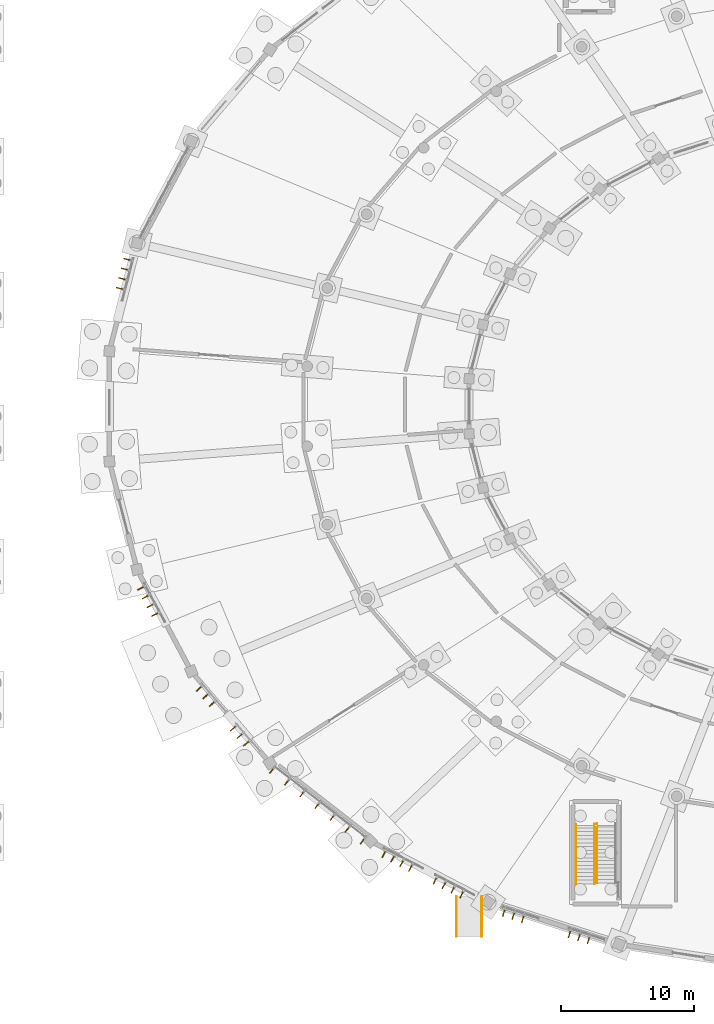
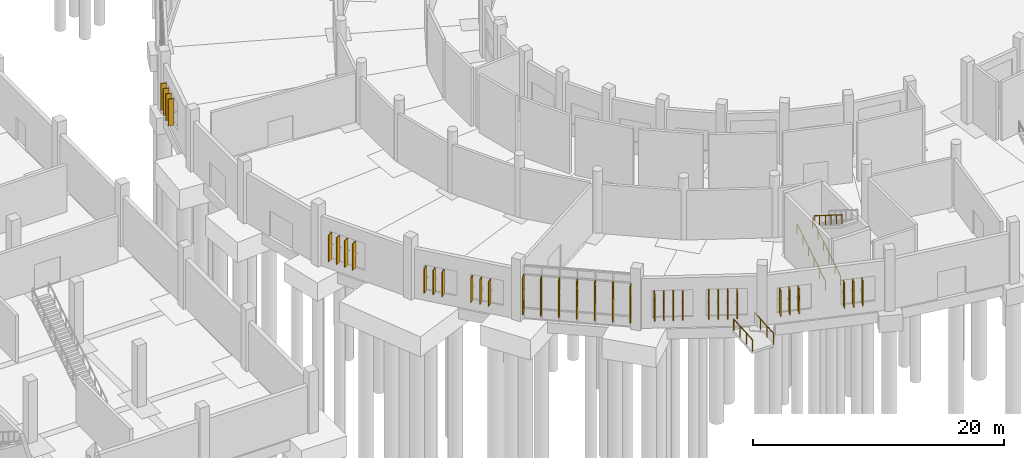
# One storey, part 112 of 140: 35 shading devices, 5 railings.
"""IFC4 building model written with IfcOpenShell, lengths in metres."""

from ifc_helpers import new_model, si_unit, direction, frame, origin, origin_2d, place, context, subcontext, project, spatial, rectangle, circle, extrude, material, layer, layer_set, type_object, element, save


model = new_model("IFC4")

# Units and contexts
model_context = context("Model", 3, precision=1e-05, world=origin(), true_north=direction((0.0, 1.0)))
body_context = subcontext(model_context, "Body", "Model", "MODEL_VIEW")
ifc_project = project(units=[si_unit("LENGTHUNIT", "METRE"), si_unit("AREAUNIT", "SQUARE_METRE"), si_unit("VOLUMEUNIT", "CUBIC_METRE"), si_unit("PLANEANGLEUNIT", "RADIAN"), si_unit("MASSUNIT", "GRAM", prefix="KILO")], contexts=[model_context])

# Site, building, storey
site_placement = place(None, origin())
site = spatial("IfcSite", under=ifc_project, at=site_placement, CompositionType="ELEMENT")
building_placement = place(site_placement, origin())
building = spatial("IfcBuilding", under=site, at=building_placement, Name="Corvandel Quay Wholesale Market", CompositionType="ELEMENT")
storey_placement = place(building_placement, origin())
storey = spatial("IfcBuildingStorey", under=building, at=storey_placement, Name="L00", CompositionType="ELEMENT", Elevation=0.0)

# Railings
ifc_material_1 = material(Name="Hot-dip galvanised painted steel", Category="steel")
ifc_layer_1 = layer(ifc_material_1, 0.06005859375)
ifc_layer_set_1 = layer_set([ifc_layer_1], Name="Hot-dip galvanised painted steel")
railing_type_1 = type_object("IfcRailingType", Name="Galvanised Steel Guard Balustrade GR01 1100mm", PredefinedType="BALUSTRADE", material=ifc_layer_set_1)
for number, where, name in (
    (1, (87.949951171875, 2.199951171875, -0.219970703125), "Produce West Plaza Ramp Guard GR-0054"),
    (2, (86.050048828125, 2.199951171875, -0.219970703125), "Produce West Plaza Ramp Guard GR-0055"),
):
    element("IfcRailing", number, at=place(storey_placement, frame(where)), inside=storey, type_object=railing_type_1, Name=name, PredefinedType="BALUSTRADE", context=body_context, shape_type="SweptSolid", body=[
        extrude(circle(Radius=0.02392578125, at=origin_2d()), frame((0.0, 0.0, 1.076171875), z_axis=(0.0, 0.997322618282, 0.073127252529), x_axis=(-1.0, 0.0, 0.0)), (0.0, 0.0, 1.0), 3.008056640625),
        extrude(circle(Radius=0.02099609375, at=origin_2d()), origin(), (0.0, 0.0, 1.0), 1.052001953125),
        extrude(circle(Radius=0.02099609375, at=origin_2d()), frame((0.0, 1.0, 0.0732421875)), (0.0, 0.0, 1.0), 1.052001953125),
        extrude(circle(Radius=0.02099609375, at=origin_2d()), frame((0.0, 2.0, 0.146728515625)), (0.0, 0.0, 1.0), 1.052001953125),
        extrude(circle(Radius=0.02099609375, at=origin_2d()), frame((0.0, 3.0, 0.219970703125)), (0.0, 0.0, 1.0), 1.052001953125),
    ])
ifc_material_2 = material(Name="Brushed austenitic stainless steel Grade 316", Category="steel")
ifc_layer_2 = layer(ifc_material_2, 0.048095703125)
ifc_layer_set_2 = layer_set([ifc_layer_2], Name="Brushed austenitic stainless steel Grade 316")
railing_type_2 = type_object("IfcRailingType", Name="Tubular Stainless Stair Handrail HR01 915mm", PredefinedType="HANDRAIL", material=ifc_layer_set_2)
for number, where, name in (
    (3, (95.010009765625, 6.14990234375, 0.176513671875), "Stair Handrail 0024"),
    (4, (96.39990234375, 6.14990234375, 0.176513671875), "Stair Handrail 0025"),
):
    element("IfcRailing", number, at=place(storey_placement, frame(where)), inside=storey, type_object=railing_type_2, Name=name, PredefinedType="HANDRAIL", context=body_context, shape_type="SweptSolid", body=[
        extrude(circle(Radius=0.02392578125, at=origin_2d()), frame((0.0, 0.0, 0.89111328125), z_axis=(0.0, 0.845997938375, 0.533186166611), x_axis=(-1.0, 0.0, 0.0)), (0.0, 0.0, 1.0), 5.29541015625),
        extrude(circle(Radius=0.02099609375, at=origin_2d()), origin(), (0.0, 0.0, 1.0), 0.866943359375),
        extrude(circle(Radius=0.02099609375, at=origin_2d()), frame((0.0, 0.89599609375, 0.564697265625)), (0.0, 0.0, 1.0), 0.866943359375),
        extrude(circle(Radius=0.02099609375, at=origin_2d()), frame((0.0, 1.7919921875, 1.12939453125)), (0.0, 0.0, 1.0), 0.866943359375),
        extrude(circle(Radius=0.02099609375, at=origin_2d()), frame((0.0, 2.68798828125, 1.694091796875)), (0.0, 0.0, 1.0), 0.866943359375),
        extrude(circle(Radius=0.02099609375, at=origin_2d()), frame((0.0, 3.583984375, 2.2587890625)), (0.0, 0.0, 1.0), 0.866943359375),
        extrude(circle(Radius=0.02099609375, at=origin_2d()), frame((0.0, 4.47998046875, 2.823486328125)), (0.0, 0.0, 1.0), 0.866943359375),
    ])
railing_placement = place(storey_placement, frame((96.60009765625, 10.699951171875, 3.176513671875)))
element("IfcRailing", 5, at=railing_placement, inside=storey, type_object=railing_type_2, Name="Stair Handrail 0026", PredefinedType="HANDRAIL", context=body_context, shape_type="SweptSolid", body=[
    extrude(circle(Radius=0.02392578125, at=origin_2d()), frame((0.0, 0.0, 0.89111328125), z_axis=(0.0, -0.845997938375, 0.533186166611), x_axis=(1.0, 0.0, 0.0)), (0.0, 0.0, 1.0), 5.29541015625),
    extrude(circle(Radius=0.02099609375, at=origin_2d()), origin(), (0.0, 0.0, 1.0), 0.866943359375),
    extrude(circle(Radius=0.02099609375, at=origin_2d()), frame((0.0, -0.89599609375, 0.564697265625)), (0.0, 0.0, 1.0), 0.866943359375),
    extrude(circle(Radius=0.02099609375, at=origin_2d()), frame((0.0, -1.7919921875, 1.12939453125)), (0.0, 0.0, 1.0), 0.866943359375),
    extrude(circle(Radius=0.02099609375, at=origin_2d()), frame((0.0, -2.68798828125, 1.694091796875)), (0.0, 0.0, 1.0), 0.866943359375),
    extrude(circle(Radius=0.02099609375, at=origin_2d()), frame((0.0, -3.583984375, 2.2587890625)), (0.0, 0.0, 1.0), 0.866943359375),
    extrude(circle(Radius=0.02099609375, at=origin_2d()), frame((0.0, -4.47998046875, 2.823486328125)), (0.0, 0.0, 1.0), 0.866943359375),
])

# Shading devices
ifc_material_3 = material(Name="Bronze anodised extruded aluminium 6063-T6", Category="aluminium")
shading_device_type = type_object("IfcShadingDeviceType", Name="Vertical Anodised Bronze Solar Fin FN01 480mm", PredefinedType="JALOUSIE", material=ifc_material_3)
for number, where, z_axis, x_axis, name in (
    (6, (61.309326171875, 53.03271484375, 1.050048828125), (0.0, 0.0, 1.0), (-0.968843057437, 0.247675453076, 0.0), "Solar Fin 0028"),
    (7, (61.12353515625, 52.30615234375, 1.050048828125), (0.0, 0.0, 1.0), (-0.968843057437, 0.247675453076, 0.0), "Solar Fin 0029"),
    (8, (60.9375, 51.57958984375, 1.050048828125), (0.0, 0.0, 1.0), (-0.968843057437, 0.247675453076, 0.0), "Solar Fin 0030"),
    (9, (60.751708984375, 50.852783203125, 1.050048828125), (0.0, 0.0, 1.0), (-0.968843057437, 0.247675453076, 0.0), "Solar Fin 0031"),
    (10, (62.330810546875, 28.3330078125, 1.050048828125), (0.0, 0.0, 1.0), (0.882619624736, 0.470087862033, 0.0), "Solar Fin 0048"),
    (11, (62.683349609375, 27.6708984375, 1.050048828125), (0.0, 0.0, 1.0), (0.882619624736, 0.470087862033, 0.0), "Solar Fin 0049"),
    (12, (63.035888671875, 27.009033203125, 1.050048828125), (0.0, 0.0, 1.0), (0.882619624736, 0.470087862033, 0.0), "Solar Fin 0050"),
    (13, (63.388427734375, 26.34716796875, 1.050048828125), (0.0, 0.0, 1.0), (0.882619624736, 0.470087862033, 0.0), "Solar Fin 0051"),
):
    element("IfcShadingDevice", number, at=place(storey_placement, frame(where, z_axis=z_axis, x_axis=x_axis)), inside=storey, type_object=shading_device_type, Name=name, PredefinedType="JALOUSIE", context=body_context, shape_type="SweptSolid", body=[
        extrude(rectangle(XDim=0.47998046875, YDim=0.06494140625, at=origin_2d()), origin(), (0.0, 0.0, 1.0), 2.60009765625),
    ])
for number, where, z_axis, x_axis, name in (
    (14, (66.704833984375, 20.780029296875, 1.050048828125), (0.0, 0.0, 1.0), (0.758589401976, 0.651568967347, 0.0), "Solar Fin 0060"),
    (15, (67.193603515625, 20.211181640625, 1.050048828125), (0.0, 0.0, 1.0), (0.758589401976, 0.651568967347, 0.0), "Solar Fin 0061"),
    (16, (67.682373046875, 19.64208984375, 1.050048828125), (0.0, 0.0, 1.0), (0.758589401976, 0.651568967347, 0.0), "Solar Fin 0062"),
    (17, (69.264892578125, 17.7998046875, 1.050048828125), (0.0, 0.0, 1.0), (0.758589401976, 0.651568967347, 0.0), "Solar Fin 0063"),
    (18, (69.753662109375, 17.230712890625, 1.050048828125), (0.0, 0.0, 1.0), (0.758589401976, 0.651568967347, 0.0), "Solar Fin 0064"),
    (19, (70.242431640625, 16.661865234375, 1.050048828125), (0.0, 0.0, 1.0), (0.758589401976, 0.651568967347, 0.0), "Solar Fin 0065"),
):
    element("IfcShadingDevice", number, at=place(storey_placement, frame(where, z_axis=z_axis, x_axis=x_axis)), inside=storey, type_object=shading_device_type, Name=name, PredefinedType="JALOUSIE", context=body_context, shape_type="SweptSolid", body=[
        extrude(rectangle(XDim=0.47998046875, YDim=0.06494140625, at=origin_2d()), origin(), (0.0, 0.0, 1.0), 2.39990234375),
    ])
for number, where, z_axis, x_axis, name in (
    (20, (72.177001953125, 14.65087890625, 0.77490234375), (0.0, 0.0, 1.0), (0.614009720373, 0.789298462742, 0.0), "Solar Fin 0080"),
    (21, (73.312255859375, 13.767578125, 0.77490234375), (0.0, 0.0, 1.0), (0.614009720373, 0.789298462742, 0.0), "Solar Fin 0081"),
    (22, (74.447509765625, 12.884521484375, 0.77490234375), (0.0, 0.0, 1.0), (0.614009720373, 0.789298462742, 0.0), "Solar Fin 0082"),
    (23, (75.582763671875, 12.001708984375, 0.77490234375), (0.0, 0.0, 1.0), (0.614009720373, 0.789298462742, 0.0), "Solar Fin 0083"),
    (24, (76.718017578125, 11.118408203125, 0.77490234375), (0.0, 0.0, 1.0), (0.614009720373, 0.789298462742, 0.0), "Solar Fin 0084"),
    (25, (77.853271484375, 10.2353515625, 0.77490234375), (0.0, 0.0, 1.0), (0.614009720373, 0.789298462742, 0.0), "Solar Fin 0085"),
    (26, (78.988525390625, 9.352294921875, 0.77490234375), (0.0, 0.0, 1.0), (0.614009720373, 0.789298462742, 0.0), "Solar Fin 0086"),
):
    element("IfcShadingDevice", number, at=place(storey_placement, frame(where, z_axis=z_axis, x_axis=x_axis)), inside=storey, type_object=shading_device_type, Name=name, PredefinedType="JALOUSIE", context=body_context, shape_type="SweptSolid", body=[
        extrude(rectangle(XDim=0.47998046875, YDim=0.06494140625, at=origin_2d()), origin(), (0.0, 0.0, 1.0), 3.60009765625),
    ])
for number, where, z_axis, x_axis, name in (
    (27, (80.58984375, 8.353759765625, 1.050048828125), (0.0, 0.0, 1.0), (0.461129250378, 0.887332978338, 0.0), "Solar Fin 0095"),
    (28, (81.25537109375, 8.008056640625, 1.050048828125), (0.0, 0.0, 1.0), (0.461129250378, 0.887332978338, 0.0), "Solar Fin 0096"),
    (29, (81.9208984375, 7.662109375, 1.050048828125), (0.0, 0.0, 1.0), (0.461129250378, 0.887332978338, 0.0), "Solar Fin 0097"),
    (30, (82.586181640625, 7.31640625, 1.050048828125), (0.0, 0.0, 1.0), (0.461129250378, 0.887332978338, 0.0), "Solar Fin 0098"),
    (31, (84.42919921875, 6.3583984375, 1.050048828125), (0.0, 0.0, 1.0), (0.461129250378, 0.887332978338, 0.0), "Solar Fin 0099"),
    (32, (85.0947265625, 6.0126953125, 1.050048828125), (0.0, 0.0, 1.0), (0.461129250378, 0.887332978338, 0.0), "Solar Fin 0100"),
    (33, (85.76025390625, 5.666748046875, 1.050048828125), (0.0, 0.0, 1.0), (0.461129250378, 0.887332978338, 0.0), "Solar Fin 0101"),
    (34, (86.42578125, 5.321044921875, 1.050048828125), (0.0, 0.0, 1.0), (0.461129250378, 0.887332978338, 0.0), "Solar Fin 0102"),
):
    element("IfcShadingDevice", number, at=place(storey_placement, frame(where, z_axis=z_axis, x_axis=x_axis)), inside=storey, type_object=shading_device_type, Name=name, PredefinedType="JALOUSIE", context=body_context, shape_type="SweptSolid", body=[
        extrude(rectangle(XDim=0.47998046875, YDim=0.06494140625, at=origin_2d()), origin(), (0.0, 0.0, 1.0), 2.60009765625),
    ])
for number, where, z_axis, x_axis, name in (
    (35, (89.590087890625, 3.941162109375, 1.050048828125), (0.0, 0.0, 1.0), (0.306692204733, 0.951808747363, 0.0), "Solar Fin 0112"),
    (36, (90.303955078125, 3.711181640625, 1.050048828125), (0.0, 0.0, 1.0), (0.306692204733, 0.951808747363, 0.0), "Solar Fin 0113"),
    (37, (91.017822265625, 3.481201171875, 1.050048828125), (0.0, 0.0, 1.0), (0.306692204733, 0.951808747363, 0.0), "Solar Fin 0114"),
    (38, (94.525390625, 2.351318359375, 1.050048828125), (0.0, 0.0, 1.0), (0.306692204733, 0.951808747363, 0.0), "Solar Fin 0115"),
    (39, (95.2392578125, 2.121337890625, 1.050048828125), (0.0, 0.0, 1.0), (0.306692204733, 0.951808747363, 0.0), "Solar Fin 0116"),
    (40, (95.953125, 1.891357421875, 1.050048828125), (0.0, 0.0, 1.0), (0.306692204733, 0.951808747363, 0.0), "Solar Fin 0117"),
):
    element("IfcShadingDevice", number, at=place(storey_placement, frame(where, z_axis=z_axis, x_axis=x_axis)), inside=storey, type_object=shading_device_type, Name=name, PredefinedType="JALOUSIE", context=body_context, shape_type="SweptSolid", body=[
        extrude(rectangle(XDim=0.47998046875, YDim=0.06494140625, at=origin_2d()), origin(), (0.0, 0.0, 1.0), 2.39990234375),
    ])

save(model, "model.ifc")
